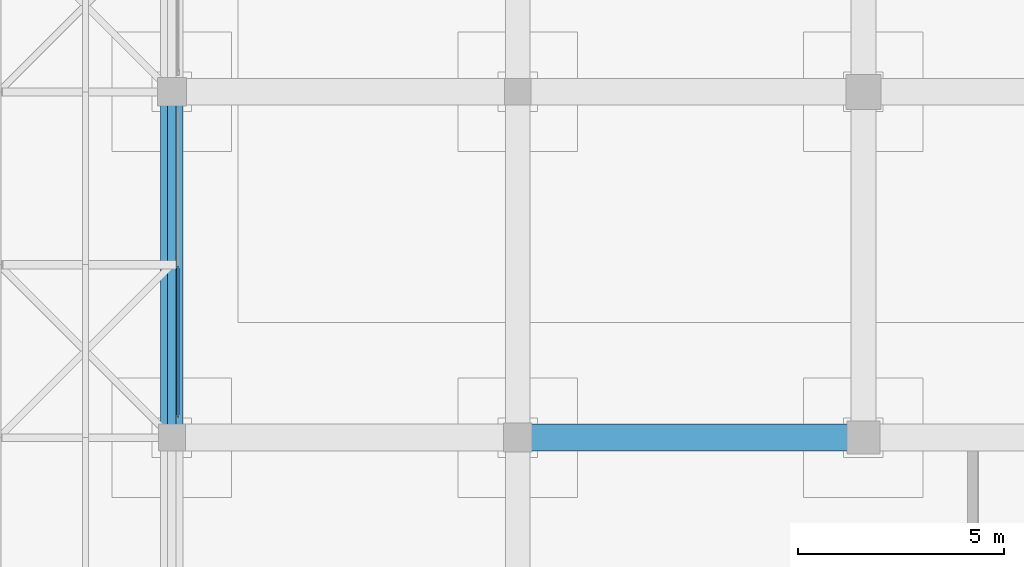
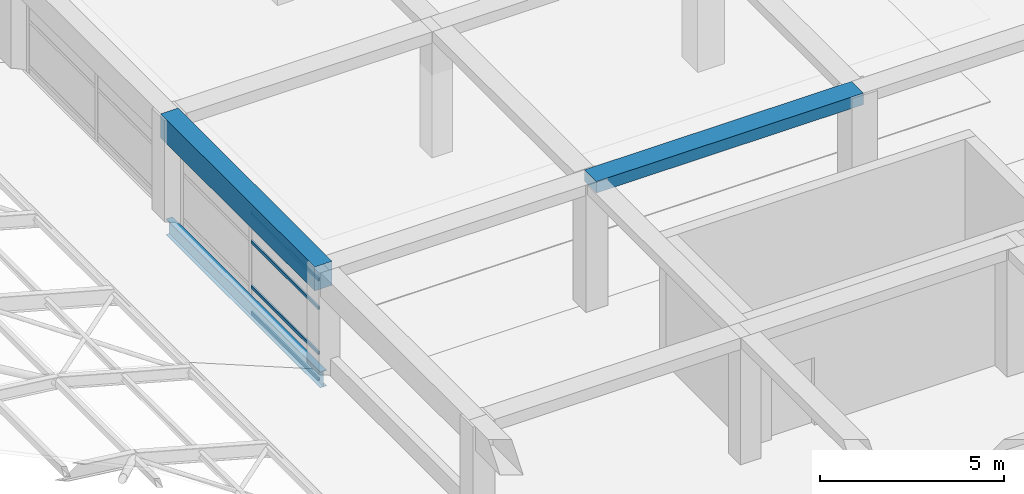
# One storey, part 30 of 85: 4 members, 3 beams, 1 element without a shape of its own.
"""IFC4 building model written with IfcOpenShell, lengths in metres."""

import ifcopenshell
import ifcopenshell.guid

model = None  # the IFC model being written
_history = None  # IfcOwnerHistory: only IFC2X3 demands one
_inside = {}  # id of a spatial element -> (the spatial element, [elements in it])
_under = {}  # id of a project, library or spatial element -> (it, [spatial elements below it])
_declared = {}  # id of a project -> (the project, [libraries it declares])
_typed = {}  # id of a type object -> (the type object, [elements of that type])
_made_of = {}  # id of a material, layer set ... -> (it, [elements and type objects made of it])


def new_model(schema):
    """Start an empty IFC model of exactly this schema.

    Asked for "IFC4X3", IfcOpenShell would pick the latest addendum, in which some entities
    have other attributes; the version numbers below select the first issue.
    IFC2X3 requires an IfcOwnerHistory on every rooted entity: one is made here for all.
    """
    global model, _history
    if schema == "IFC4X3":
        model = ifcopenshell.file(schema_version=(4, 3, 0, 0))
    else:
        model = ifcopenshell.file(schema=schema)
    _inside.clear()
    _under.clear()
    _declared.clear()
    _typed.clear()
    _made_of.clear()
    _history = None
    if model.schema == "IFC2X3":
        org = make("IfcOrganization", Name="unknown")
        user = make(
            "IfcPersonAndOrganization",
            ThePerson=make("IfcPerson", FamilyName="unknown"),
            TheOrganization=org,
        )
        app = make(
            "IfcApplication",
            ApplicationDeveloper=org,
            Version="unknown",
            ApplicationFullName="unknown",
            ApplicationIdentifier="unknown",
        )
        _history = make(
            "IfcOwnerHistory",
            OwningUser=user,
            OwningApplication=app,
            ChangeAction="ADDED",
            CreationDate=0,
        )
    return model


def make(cls, **values):
    """One entity of the class cls with the attributes given. An attribute that is None is left unset."""
    return model.create_entity(
        cls, **{name: value for name, value in values.items() if value is not None}
    )


def rooted(cls, **values):
    """An entity with a GlobalId (a new one), such as an element, a storey or a relation."""
    return make(cls, GlobalId=ifcopenshell.guid.new(), OwnerHistory=_history, **values)


def si_unit(unit_type, name, prefix=None):
    """IfcSIUnit, for example si_unit("LENGTHUNIT", "METRE", prefix="MILLI")."""
    return make("IfcSIUnit", UnitType=unit_type, Prefix=prefix, Name=name)


def assignment(units):
    """IfcUnitAssignment: the units of a project."""
    return None if units is None else make("IfcUnitAssignment", Units=units)


def point(xyz):
    """IfcCartesianPoint."""
    return None if xyz is None else make("IfcCartesianPoint", Coordinates=xyz)


def direction(xyz):
    """IfcDirection."""
    return None if xyz is None else make("IfcDirection", DirectionRatios=xyz)


def frame(location, z_axis=None, x_axis=None):
    """IfcAxis2Placement3D, a coordinate frame: its origin and axes. An axis left out is left unset."""
    return make(
        "IfcAxis2Placement3D",
        Location=point(location),
        Axis=direction(z_axis),
        RefDirection=direction(x_axis),
    )


def frame_2d(location, x_axis=None):
    """IfcAxis2Placement2D, a coordinate frame in the plane: its origin and x axis."""
    return make(
        "IfcAxis2Placement2D", Location=point(location), RefDirection=direction(x_axis)
    )


def origin():
    """The frame at (0, 0, 0) with its axes left unset."""
    return frame((0.0, 0.0, 0.0))


def origin_2d():
    """The frame at (0, 0) in the plane with its x axis left unset."""
    return frame_2d((0.0, 0.0))


def place(relative_to, where):
    """IfcLocalPlacement: puts the frame where relative to a parent placement (None: the world)."""
    return make(
        "IfcLocalPlacement", PlacementRelTo=relative_to, RelativePlacement=where
    )


def context(
    kind, dimensions, precision=None, world=None, true_north=None, identifier=None
):
    """IfcGeometricRepresentationContext, for example the 3D "Model" context."""
    return make(
        "IfcGeometricRepresentationContext",
        ContextIdentifier=identifier,
        ContextType=kind,
        CoordinateSpaceDimension=dimensions,
        Precision=precision,
        WorldCoordinateSystem=world,
        TrueNorth=true_north,
    )


def subcontext(parent, identifier, kind, view, scale=None):
    """IfcGeometricRepresentationSubContext, for example "Body" below "Model"."""
    return make(
        "IfcGeometricRepresentationSubContext",
        ContextIdentifier=identifier,
        ContextType=kind,
        ParentContext=parent,
        TargetScale=scale,
        TargetView=view,
    )


def project(units=None, contexts=None):
    """IfcProject with its units and contexts."""
    return rooted(
        "IfcProject",
        Name="project",
        RepresentationContexts=contexts,
        UnitsInContext=assignment(units),
    )


def spatial(cls, under=None, at=None, **own):
    """A site, building, storey or space (cls), placed at a placement, below another one or the project."""
    s = rooted(cls, ObjectPlacement=at, **own)
    if under is not None:
        _under.setdefault(under.id(), (under, []))[1].append(s)
    return s


def profile(cls, at=None, kind="AREA", **sizes):
    """A parametric profile (cls). Its sizes go by their IFC names, for example OverallWidth=200.0."""
    return make(cls, ProfileType=kind, Position=at, **sizes)


def rectangle(**sizes):
    """IfcRectangleProfileDef."""
    return profile("IfcRectangleProfileDef", **sizes)


def hollow_rectangle(**sizes):
    """IfcRectangleHollowProfileDef."""
    return profile("IfcRectangleHollowProfileDef", **sizes)


def i_section(**sizes):
    """IfcIShapeProfileDef."""
    return profile("IfcIShapeProfileDef", **sizes)


def extrude(swept, where, along, depth):
    """IfcExtrudedAreaSolid: the profile swept, set in the frame where, extruded along a direction by depth."""
    return make(
        "IfcExtrudedAreaSolid",
        SweptArea=swept,
        Position=where,
        ExtrudedDirection=direction(along),
        Depth=depth,
    )


def shape(context_of_items, identifier, shape_type, items):
    """IfcShapeRepresentation: the items that make up one representation, for example the "Body"."""
    return make(
        "IfcShapeRepresentation",
        ContextOfItems=context_of_items,
        RepresentationIdentifier=identifier,
        RepresentationType=shape_type,
        Items=items,
    )


def material(Name=None, Category=None):
    """IfcMaterial."""
    return make("IfcMaterial", Name=Name, Category=Category)


def material_profile(
    of_material, cross_section, Name=None, Category=None, Priority=None
):
    """IfcMaterialProfile: a cross section and its material."""
    return make(
        "IfcMaterialProfile",
        Name=Name,
        Material=of_material,
        Profile=cross_section,
        Priority=Priority,
        Category=Category,
    )


def profile_set(profiles, Name=None, composite=None):
    """IfcMaterialProfileSet."""
    return make(
        "IfcMaterialProfileSet",
        Name=Name,
        MaterialProfiles=profiles,
        CompositeProfile=composite,
    )


def made_of(thing, what):
    """Note that an element or type object is made of a material, layer set ...; save() writes the relation."""
    if what is not None:
        _made_of.setdefault(what.id(), (what, []))[1].append(thing)
    return thing


def type_object(cls, material=None, **own):
    """A type object (cls), such as IfcWallType, which elements share."""
    return made_of(rooted(cls, **own), material)


def element(
    cls,
    number,
    at=None,
    inside=None,
    cuts=None,
    type_object=None,
    material=None,
    context=None,
    identifier="Body",
    shape_type=None,
    held_by="IfcProductDefinitionShape",
    body=None,
    shapes=None,
    **own,
):
    """One element of the class cls, such as IfcWall. Its Tag is "e" and its number.

    at: its placement. inside: the storey or other place that contains it. cuts: it is an
    opening in that element (IfcRelVoidsElement). A single representation is given by context,
    identifier, shape_type and body (its items); several are given by shapes. held_by: the class
    of the entity that holds the representations. save() writes the other relations.
    """
    e = rooted(cls, Tag="e%d" % number, ObjectPlacement=at, **own)
    if body is not None:
        shapes = [shape(context, identifier, shape_type, body)]
    if shapes is not None:
        e.Representation = make(held_by, Representations=shapes)
    if inside is not None:
        _inside.setdefault(inside.id(), (inside, []))[1].append(e)
    if cuts is not None:
        rooted(
            "IfcRelVoidsElement", RelatingBuildingElement=cuts, RelatedOpeningElement=e
        )
    if type_object is not None:
        _typed.setdefault(type_object.id(), (type_object, []))[1].append(e)
    return made_of(e, material)


def aggregate(whole, parts):
    """IfcRelAggregates: a whole, such as a stair, and the parts it consists of."""
    return rooted("IfcRelAggregates", RelatingObject=whole, RelatedObjects=parts)


def save(model, path):
    """Write the relations noted so far, then the file.

    IfcRelAggregates (storeys below a building ...), IfcRelContainedInSpatialStructure (elements
    in a storey), IfcRelDefinesByType, IfcRelAssociatesMaterial and IfcRelDeclares: one each for
    every whole, place, type object, material and project.
    """
    for whole, parts in _under.values():
        aggregate(whole, parts)
    for where, things in _inside.values():
        rooted(
            "IfcRelContainedInSpatialStructure",
            RelatedElements=things,
            RelatingStructure=where,
        )
    for kind, things in _typed.values():
        rooted("IfcRelDefinesByType", RelatedObjects=things, RelatingType=kind)
    for what, things in _made_of.values():
        rooted("IfcRelAssociatesMaterial", RelatedObjects=things, RelatingMaterial=what)
    for by, libraries in _declared.values():
        rooted("IfcRelDeclares", RelatingContext=by, RelatedDefinitions=libraries)
    model.write(path)


model = new_model("IFC4")

# Units and contexts
model_context = context("Model", 3, precision=1e-05, world=origin(), true_north=direction((0.0, 1.0)))
body_context = subcontext(model_context, "Body", "Model", "MODEL_VIEW")
ifc_project = project(units=[si_unit("LENGTHUNIT", "METRE"), si_unit("AREAUNIT", "SQUARE_METRE"), si_unit("VOLUMEUNIT", "CUBIC_METRE"), si_unit("PLANEANGLEUNIT", "RADIAN"), si_unit("MASSUNIT", "GRAM", prefix="KILO")], contexts=[model_context])

# Site, building, storey
site_placement = place(None, origin())
site = spatial("IfcSite", under=ifc_project, at=site_placement, CompositionType="ELEMENT")
building_placement = place(site_placement, origin())
building = spatial("IfcBuilding", under=site, at=building_placement, Name="Almacenes y Pasaje Nevantli", CompositionType="ELEMENT")
storey_placement = place(building_placement, frame((0.0, 0.0, 22.199951171875)))
storey = spatial("IfcBuildingStorey", under=building, at=storey_placement, Name="L05", CompositionType="ELEMENT", Elevation=22.199951171875)

# Beams
ifc_material_1 = material(Name="Concrete C35/45", Category="concrete")
ifc_material_profile_1 = material_profile(ifc_material_1, rectangle(XDim=0.550048828125, YDim=0.800048828125, at=origin_2d()), Name="RC-BM-550x800")
ifc_profile_set_1 = profile_set([ifc_material_profile_1], Name="Concrete C35/45")
beam_type_1 = type_object("IfcBeamType", Name="BM-RC-550x800", PredefinedType="BEAM", material=ifc_profile_set_1)
beam_1_placement = place(storey_placement, frame((92.39990234375, 67.199951171875, 3.820068359375), z_axis=(0.0, 1.0, 0.0), x_axis=(-1.0, 0.0, 0.0)))
element("IfcBeam", 1, at=beam_1_placement, inside=storey, type_object=beam_type_1, Name="L05 North-South Reinforced Concrete Beam #3472", PredefinedType="BEAM", context=body_context, shape_type="SweptSolid", body=[
    extrude(rectangle(XDim=0.550048828125, YDim=0.800048828125, at=origin_2d()), origin(), (0.0, 0.0, 1.0), 8.400146484375),
])
ifc_material_2 = material(Name="Concrete C35/45", Category="concrete")
ifc_material_profile_2 = material_profile(ifc_material_2, rectangle(XDim=0.64990234375, YDim=0.3798828125, at=origin_2d()), Name="RC-BM-650x380")
ifc_profile_set_2 = profile_set([ifc_material_profile_2], Name="Concrete C35/45")
beam_type_2 = type_object("IfcBeamType", Name="BM-RC-650x380", PredefinedType="BEAM", material=ifc_profile_set_2)
beam_2_placement = place(storey_placement, frame((100.800048828125, 67.199951171875, 4.030029296875), z_axis=(1.0, 0.0, 0.0), x_axis=(0.0, 1.0, 0.0)))
element("IfcBeam", 2, at=beam_2_placement, inside=storey, type_object=beam_type_2, Name="L05 East-West Reinforced Concrete Beam #3312", PredefinedType="BEAM", context=body_context, shape_type="SweptSolid", body=[
    extrude(rectangle(XDim=0.64990234375, YDim=0.3798828125, at=origin_2d()), origin(), (0.0, 0.0, 1.0), 8.39990234375),
])
ifc_material_3 = material(Name="Steel ASTM A992", Category="steel")
ifc_material_profile_3 = material_profile(ifc_material_3, i_section(OverallWidth=0.208984375, OverallDepth=0.532958984375, WebThickness=0.01025390625, FlangeThickness=0.015625, at=origin_2d()), Name="IR 533x92.5")
ifc_profile_set_3 = profile_set([ifc_material_profile_3], Name="Steel ASTM A992")
beam_type_3 = type_object("IfcBeamType", Name="BM-STL-IR-533x92p5", PredefinedType="BEAM", material=ifc_profile_set_3)
beam_3_placement = place(storey_placement, frame((92.39990234375, 67.199951171875, 0.400146484375), z_axis=(0.0, 1.0, 0.0), x_axis=(-1.0, 0.0, 0.0)))
element("IfcBeam", 3, at=beam_3_placement, inside=storey, type_object=beam_type_3, Name="L05 Arcade Barrel Vault Eave Steel Girder #2.9", PredefinedType="BEAM", context=body_context, shape_type="SweptSolid", body=[
    extrude(i_section(OverallWidth=0.208984375, OverallDepth=0.532958984375, WebThickness=0.01025390625, FlangeThickness=0.015625, at=origin_2d()), origin(), (0.0, 0.0, 1.0), 8.400146484375),
])

# Curtain wall, members
ifc_material_4 = material(Name="Thermally Broken Aluminium and Low-E Glass", Category="aluminium")
curtain_wall_type = type_object("IfcCurtainWallType", Name="CW-UNIT-PODIUM", PredefinedType="USERDEFINED", material=ifc_material_4)
curtain_wall_placement = place(storey_placement, origin())
curtain_wall = element("IfcCurtainWall", 4, at=curtain_wall_placement, inside=storey, type_object=curtain_wall_type, Name="L05 Sky-Lobby West Arcade View Curtain Wall Bay 9", ObjectType="UNITIZED CURTAIN WALL", PredefinedType="USERDEFINED")
ifc_material_5 = material(Name="Thermally Broken Anodized Aluminium", Category="aluminium")
ifc_material_profile_4 = material_profile(ifc_material_5, hollow_rectangle(XDim=0.054931640625, YDim=0.10498046875, WallThickness=0.003173828125, at=origin_2d()), Name="ALU-TRN-55x105")
ifc_profile_set_4 = profile_set([ifc_material_profile_4], Name="Thermally Broken Anodized Aluminium")
member_type = type_object("IfcMemberType", Name="CW-TRN-120", PredefinedType="USERDEFINED", material=ifc_profile_set_4)
member_1_placement = place(storey_placement, frame((92.550048828125, 67.705078125, 0.027587890625), z_axis=(0.0, 1.0, 0.0), x_axis=(-1.0, 0.0, 0.0)))
member_1 = element("IfcMember", 5, at=member_1_placement, type_object=member_type, Name="CW-L05-096 transom 1.1", ObjectType="TRANSOM", PredefinedType="USERDEFINED", context=body_context, shape_type="SweptSolid", body=[
    extrude(hollow_rectangle(XDim=0.054931640625, YDim=0.10498046875, WallThickness=0.003173828125, at=origin_2d()), origin(), (0.0, 0.0, 1.0), 3.66748046875),
])
member_2_placement = place(storey_placement, frame((92.550048828125, 67.705078125, 0.900146484375), z_axis=(0.0, 1.0, 0.0), x_axis=(-1.0, 0.0, 0.0)))
member_2 = element("IfcMember", 6, at=member_2_placement, type_object=member_type, Name="CW-L05-096 transom 1.2", ObjectType="TRANSOM", PredefinedType="USERDEFINED", context=body_context, shape_type="SweptSolid", body=[
    extrude(hollow_rectangle(XDim=0.054931640625, YDim=0.10498046875, WallThickness=0.003173828125, at=origin_2d()), origin(), (0.0, 0.0, 1.0), 3.66748046875),
])
member_3_placement = place(storey_placement, frame((92.550048828125, 67.705078125, 2.400146484375), z_axis=(0.0, 1.0, 0.0), x_axis=(-1.0, 0.0, 0.0)))
member_3 = element("IfcMember", 7, at=member_3_placement, type_object=member_type, Name="CW-L05-096 transom 1.3", ObjectType="TRANSOM", PredefinedType="USERDEFINED", context=body_context, shape_type="SweptSolid", body=[
    extrude(hollow_rectangle(XDim=0.054931640625, YDim=0.10498046875, WallThickness=0.003173828125, at=origin_2d()), origin(), (0.0, 0.0, 1.0), 3.66748046875),
])
member_4_placement = place(storey_placement, frame((92.550048828125, 67.705078125, 3.342529296875), z_axis=(0.0, 1.0, 0.0), x_axis=(-1.0, 0.0, 0.0)))
member_4 = element("IfcMember", 8, at=member_4_placement, type_object=member_type, Name="CW-L05-096 transom 1.4", ObjectType="TRANSOM", PredefinedType="USERDEFINED", context=body_context, shape_type="SweptSolid", body=[
    extrude(hollow_rectangle(XDim=0.054931640625, YDim=0.10498046875, WallThickness=0.003173828125, at=origin_2d()), origin(), (0.0, 0.0, 1.0), 3.66748046875),
])
aggregate(curtain_wall, [member_1, member_2, member_3, member_4])

save(model, "model.ifc")
